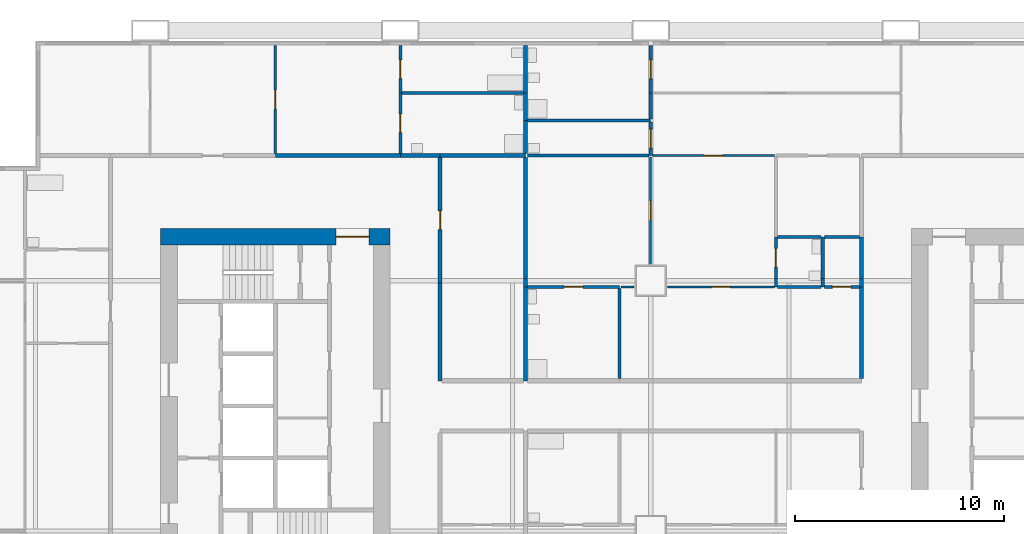
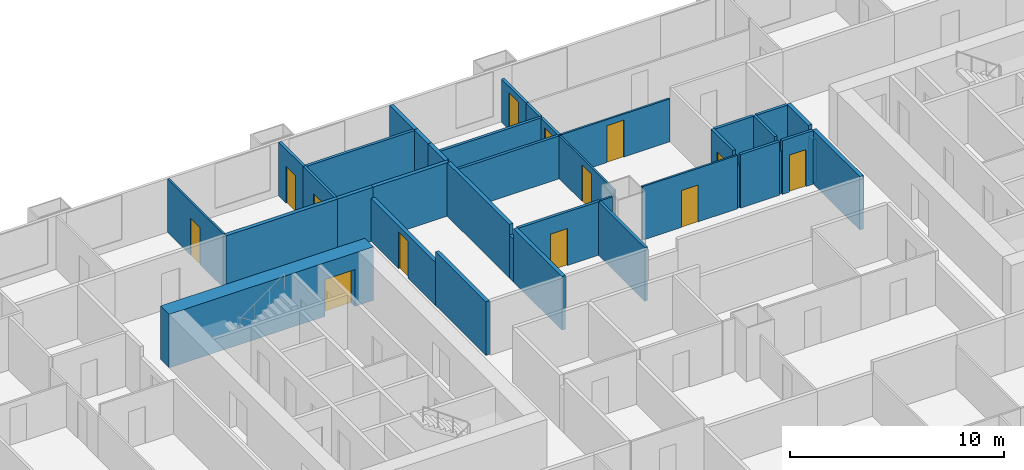
# One storey, part 8 of 13: 38 walls, 13 doors, 13 openings.
"""IFC4 building model written with IfcOpenShell, lengths in metres."""

from ifc_helpers import new_model, si_unit, direction, frame, frame_2d, origin, place, context, subcontext, project, spatial, rectangle, extrude, material, layer, layer_set, type_object, element, fill, save


model = new_model("IFC4")

# Units and contexts
model_context = context("Model", 3, precision=1e-05, world=origin(), true_north=direction((0.0, 1.0)))
body_context = subcontext(model_context, "Body", "Model", "MODEL_VIEW")
ifc_project = project(units=[si_unit("LENGTHUNIT", "METRE"), si_unit("AREAUNIT", "SQUARE_METRE"), si_unit("VOLUMEUNIT", "CUBIC_METRE"), si_unit("PLANEANGLEUNIT", "RADIAN"), si_unit("MASSUNIT", "GRAM", prefix="KILO")], contexts=[model_context])

# Site, building, storey
site_placement = place(None, origin())
site = spatial("IfcSite", under=ifc_project, at=site_placement, CompositionType="ELEMENT")
building_placement = place(site_placement, origin())
building = spatial("IfcBuilding", under=site, at=building_placement, Name="Kitamizu Gate Tower and Museum", CompositionType="ELEMENT")
storey_placement = place(building_placement, frame((0.0, 0.0, 40.35009765625)))
storey = spatial("IfcBuildingStorey", under=building, at=storey_placement, Name="L08", CompositionType="ELEMENT", Elevation=40.35009765625)

# Wall, opening, door
ifc_material_1 = material(Name="Concrete Fc60", Category="concrete")
ifc_layer_1 = layer(ifc_material_1, 0.800048828125)
ifc_layer_set_1 = layer_set([ifc_layer_1], Name="Concrete Fc60")
wall_type_1 = type_object("IfcWallType", Name="Core wall 800", PredefinedType="SHEAR", material=ifc_layer_set_1)
wall_1_placement = place(storey_placement, frame((12.5, 38.10009765625, 0.0), z_axis=(0.0, 0.0, 1.0), x_axis=(1.0, 0.0, 0.0)))
wall_1 = element("IfcWall", 1, at=wall_1_placement, inside=storey, type_object=wall_type_1, Name="Core wall WN", PredefinedType="SHEAR", context=body_context, shape_type="SweptSolid", body=[
    extrude(rectangle(XDim=11.0, YDim=0.800048828125, at=frame_2d((5.5, 0.0))), origin(), (0.0, 0.0, 1.0), 3.0498046875),
])
opening_1_placement = place(wall_1_placement, frame((8.39990234375, 0.0, 0.0)))
opening_1 = element("IfcOpeningElement", 2, at=opening_1_placement, cuts=wall_1, Name="Opening L08-086", PredefinedType="OPENING", context=body_context, shape_type="SweptSolid", body=[
    extrude(rectangle(XDim=1.60009765625, YDim=2.10009765625, at=frame_2d((0.800048828125, 1.050048828125))), frame((0.0, 0.41015625, 0.0), z_axis=(0.0, -1.0, 0.0), x_axis=(1.0, 0.0, 0.0)), (0.0, 0.0, 1.0), 0.820068359375),
])
ifc_material_2 = material(Name="Timber door set", Category="wood")
door_type_1 = type_object("IfcDoorType", Name="Entrance door 1600", OperationType="DOUBLE_DOOR_SINGLE_SWING", PredefinedType="DOOR", material=ifc_material_2)
door_1_placement = place(opening_1_placement, origin())
door_1 = element("IfcDoor", 3, at=door_1_placement, inside=storey, type_object=door_type_1, Name="Lobby door L08-086", OperationType="DOUBLE_DOOR_SINGLE_SWING", OverallHeight=2.10009765625, OverallWidth=1.60009765625, PredefinedType="DOOR", context=body_context, shape_type="SweptSolid", body=[
    extrude(rectangle(XDim=1.60009765625, YDim=2.10009765625, at=frame_2d((0.800048828125, 1.050048828125))), frame((0.0, 0.02490234375, 0.0), z_axis=(0.0, -1.0, 0.0), x_axis=(1.0, 0.0, 0.0)), (0.0, 0.0, 1.0), 0.050048828125),
])
fill(opening_1, door_1)

ifc_material_3 = material(Name="Gypsum board on galvanised stud")
ifc_layer_2 = layer(ifc_material_3, 0.10009765625)
ifc_layer_set_2 = layer_set([ifc_layer_2], Name="Gypsum board on galvanised stud")
wall_type_2 = type_object("IfcWallType", Name="Partition 100 NOT RATED", PredefinedType="PARTITIONING", material=ifc_layer_set_2)
wall_2_placement = place(storey_placement, frame((18.0, 42.10009765625, 0.0), z_axis=(0.0, 0.0, 1.0), x_axis=(0.0, 1.0, 0.0)))
wall_2 = element("IfcWall", 4, at=wall_2_placement, inside=storey, type_object=wall_type_2, Name="Partition L08-117", PredefinedType="PARTITIONING", context=body_context, shape_type="SweptSolid", body=[
    extrude(rectangle(XDim=5.179931640625, YDim=0.10009765625, at=frame_2d((2.58984375, 0.0))), origin(), (0.0, 0.0, 1.0), 3.0498046875),
])
opening_2_placement = place(wall_2_placement, frame((2.139892578125, 0.0, 0.0)))
opening_2 = element("IfcOpeningElement", 5, at=opening_2_placement, cuts=wall_2, Name="Opening L08-044", PredefinedType="OPENING", context=body_context, shape_type="SweptSolid", body=[
    extrude(rectangle(XDim=0.89990234375, YDim=2.10009765625, at=frame_2d((0.449951171875, 1.050048828125))), frame((0.0, 0.06005859375, 0.0), z_axis=(0.0, -1.0, 0.0), x_axis=(1.0, 0.0, 0.0)), (0.0, 0.0, 1.0), 0.1201171875),
])
ifc_material_4 = material(Name="Timber door set", Category="wood")
door_type_2 = type_object("IfcDoorType", Name="Room door 900", OperationType="NOTDEFINED", PredefinedType="DOOR", material=ifc_material_4)
door_2_placement = place(opening_2_placement, frame((0.89990234375, 0.0, 0.0), x_axis=(-1.0, 0.0, 0.0)))
door_2 = element("IfcDoor", 6, at=door_2_placement, inside=storey, type_object=door_type_2, Name="Door L08-044", OperationType="SINGLE_SWING_LEFT", OverallHeight=2.10009765625, OverallWidth=0.89990234375, PredefinedType="DOOR", context=body_context, shape_type="SweptSolid", body=[
    extrude(rectangle(XDim=0.89990234375, YDim=2.10009765625, at=frame_2d((0.449951171875, 1.050048828125))), frame((0.0, 0.02490234375, 0.0), z_axis=(0.0, -1.0, 0.0), x_axis=(1.0, 0.0, 0.0)), (0.0, 0.0, 1.0), 0.050048828125),
])
fill(opening_2, door_2)

wall_3_placement = place(storey_placement, frame((36.074951171875, 42.0, 0.0), z_axis=(0.0, 0.0, 1.0), x_axis=(1.0, 0.0, 0.0)))
wall_3 = element("IfcWall", 7, at=wall_3_placement, inside=storey, type_object=wall_type_2, Name="Partition L08-160", PredefinedType="PARTITIONING", context=body_context, shape_type="SweptSolid", body=[
    extrude(rectangle(XDim=5.85009765625, YDim=0.10009765625, at=frame_2d((2.925048828125, 0.0))), origin(), (0.0, 0.0, 1.0), 2.449951171875),
])
opening_3_placement = place(wall_3_placement, frame((2.47509765625, 0.0, 0.0)))
opening_3 = element("IfcOpeningElement", 8, at=opening_3_placement, cuts=wall_3, Name="Opening L08-060", PredefinedType="OPENING", context=body_context, shape_type="SweptSolid", body=[
    extrude(rectangle(XDim=0.89990234375, YDim=2.10009765625, at=frame_2d((0.449951171875, 1.050048828125))), frame((0.0, 0.06005859375, 0.0), z_axis=(0.0, -1.0, 0.0), x_axis=(1.0, 0.0, 0.0)), (0.0, 0.0, 1.0), 0.1201171875),
])
door_3_placement = place(opening_3_placement, origin())
door_3 = element("IfcDoor", 9, at=door_3_placement, inside=storey, type_object=door_type_2, Name="Door L08-060", OperationType="SINGLE_SWING_LEFT", OverallHeight=2.10009765625, OverallWidth=0.89990234375, PredefinedType="DOOR", context=body_context, shape_type="SweptSolid", body=[
    extrude(rectangle(XDim=0.89990234375, YDim=2.10009765625, at=frame_2d((0.449951171875, 1.050048828125))), frame((0.0, 0.02490234375, 0.0), z_axis=(0.0, -1.0, 0.0), x_axis=(1.0, 0.0, 0.0)), (0.0, 0.0, 1.0), 0.050048828125),
])
fill(opening_3, door_3)

wall_4_placement = place(storey_placement, frame((36.0, 36.800048828125, 0.0), z_axis=(0.0, 0.0, 1.0), x_axis=(0.0, 1.0, 0.0)))
wall_4 = element("IfcWall", 10, at=wall_4_placement, inside=storey, type_object=wall_type_2, Name="Partition L08-170", PredefinedType="PARTITIONING", context=body_context, shape_type="SweptSolid", body=[
    extrude(rectangle(XDim=5.125, YDim=0.10009765625, at=frame_2d((2.5625, 0.0))), origin(), (0.0, 0.0, 1.0), 2.449951171875),
])
opening_4_placement = place(wall_4_placement, frame((2.112548828125, 0.0, 0.0)))
opening_4 = element("IfcOpeningElement", 11, at=opening_4_placement, cuts=wall_4, Name="Opening L08-066", PredefinedType="OPENING", context=body_context, shape_type="SweptSolid", body=[
    extrude(rectangle(XDim=0.89990234375, YDim=2.10009765625, at=frame_2d((0.449951171875, 1.050048828125))), frame((0.0, 0.06005859375, 0.0), z_axis=(0.0, -1.0, 0.0), x_axis=(1.0, 0.0, 0.0)), (0.0, 0.0, 1.0), 0.1201171875),
])
door_4_placement = place(opening_4_placement, origin())
door_4 = element("IfcDoor", 12, at=door_4_placement, inside=storey, type_object=door_type_2, Name="Door L08-066", OperationType="SINGLE_SWING_LEFT", OverallHeight=2.10009765625, OverallWidth=0.89990234375, PredefinedType="DOOR", context=body_context, shape_type="SweptSolid", body=[
    extrude(rectangle(XDim=0.89990234375, YDim=2.10009765625, at=frame_2d((0.449951171875, 1.050048828125))), frame((0.0, 0.02490234375, 0.0), z_axis=(0.0, -1.0, 0.0), x_axis=(1.0, 0.0, 0.0)), (0.0, 0.0, 1.0), 0.050048828125),
])
fill(opening_4, door_4)

# Wall
wall_5_placement = place(storey_placement, frame((34.574951171875, 35.699951171875, 0.0), z_axis=(0.0, 0.0, 1.0), x_axis=(1.0, 0.0, 0.0)))
element("IfcWall", 13, at=wall_5_placement, inside=storey, type_object=wall_type_2, Name="Partition L08-172", PredefinedType="PARTITIONING", context=body_context, shape_type="SweptSolid", body=[
    extrude(rectangle(XDim=0.625, YDim=0.10009765625, at=frame_2d((0.3125, 0.0))), origin(), (0.0, 0.0, 1.0), 3.0498046875),
])

# Wall, opening, door
wall_6_placement = place(storey_placement, frame((36.800048828125, 35.699951171875, 0.0), z_axis=(0.0, 0.0, 1.0), x_axis=(1.0, 0.0, 0.0)))
wall_6 = element("IfcWall", 14, at=wall_6_placement, inside=storey, type_object=wall_type_2, Name="Partition L08-176", PredefinedType="PARTITIONING", context=body_context, shape_type="SweptSolid", body=[
    extrude(rectangle(XDim=5.125, YDim=0.10009765625, at=frame_2d((2.5625, 0.0))), origin(), (0.0, 0.0, 1.0), 3.0498046875),
])
opening_5_placement = place(wall_6_placement, frame((2.112548828125, 0.0, 0.0)))
opening_5 = element("IfcOpeningElement", 15, at=opening_5_placement, cuts=wall_6, Name="Opening L08-063", PredefinedType="OPENING", context=body_context, shape_type="SweptSolid", body=[
    extrude(rectangle(XDim=0.89990234375, YDim=2.10009765625, at=frame_2d((0.449951171875, 1.050048828125))), frame((0.0, 0.06005859375, 0.0), z_axis=(0.0, -1.0, 0.0), x_axis=(1.0, 0.0, 0.0)), (0.0, 0.0, 1.0), 0.1201171875),
])
door_5_placement = place(opening_5_placement, origin())
door_5 = element("IfcDoor", 16, at=door_5_placement, inside=storey, type_object=door_type_2, Name="Door L08-063", OperationType="SINGLE_SWING_LEFT", OverallHeight=2.10009765625, OverallWidth=0.89990234375, PredefinedType="DOOR", context=body_context, shape_type="SweptSolid", body=[
    extrude(rectangle(XDim=0.89990234375, YDim=2.10009765625, at=frame_2d((0.449951171875, 1.050048828125))), frame((0.0, 0.02490234375, 0.0), z_axis=(0.0, -1.0, 0.0), x_axis=(1.0, 0.0, 0.0)), (0.0, 0.0, 1.0), 0.050048828125),
])
fill(opening_5, door_5)

ifc_material_5 = material(Name="Gypsum board on galvanised stud")
ifc_layer_3 = layer(ifc_material_5, 0.14990234375)
ifc_layer_set_3 = layer_set([ifc_layer_3], Name="Gypsum board on galvanised stud")
wall_type_3 = type_object("IfcWallType", Name="Partition 150", PredefinedType="PARTITIONING", material=ifc_layer_set_3)
wall_7_placement = place(storey_placement, frame((24.0, 42.10009765625, 0.0), z_axis=(0.0, 0.0, 1.0), x_axis=(0.0, 1.0, 0.0)))
wall_7 = element("IfcWall", 17, at=wall_7_placement, inside=storey, type_object=wall_type_3, Name="Partition L08-119", PredefinedType="PARTITIONING", context=body_context, shape_type="SweptSolid", body=[
    extrude(rectangle(XDim=2.89990234375, YDim=0.14990234375, at=frame_2d((1.449951171875, 0.0))), origin(), (0.0, 0.0, 1.0), 3.0498046875),
])
opening_6_placement = place(wall_7_placement, frame((1.0, 0.0, 0.0)))
opening_6 = element("IfcOpeningElement", 18, at=opening_6_placement, cuts=wall_7, Name="Opening L08-045", PredefinedType="OPENING", context=body_context, shape_type="SweptSolid", body=[
    extrude(rectangle(XDim=0.89990234375, YDim=2.10009765625, at=frame_2d((0.449951171875, 1.050048828125))), frame((0.0, 0.0849609375, 0.0), z_axis=(0.0, -1.0, 0.0), x_axis=(1.0, 0.0, 0.0)), (0.0, 0.0, 1.0), 0.169921875),
])
ifc_material_6 = material(Name="Timber door set", Category="wood")
door_type_3 = type_object("IfcDoorType", Name="Bathroom door 900", OperationType="NOTDEFINED", PredefinedType="DOOR", material=ifc_material_6)
door_6_placement = place(opening_6_placement, frame((0.89990234375, 0.0, 0.0), x_axis=(-1.0, 0.0, 0.0)))
door_6 = element("IfcDoor", 19, at=door_6_placement, inside=storey, type_object=door_type_3, Name="Bathroom door L08-045", OperationType="SINGLE_SWING_RIGHT", OverallHeight=2.10009765625, OverallWidth=0.89990234375, PredefinedType="DOOR", context=body_context, shape_type="SweptSolid", body=[
    extrude(rectangle(XDim=0.89990234375, YDim=2.10009765625, at=frame_2d((0.449951171875, 1.050048828125))), frame((0.0, 0.02490234375, 0.0), z_axis=(0.0, -1.0, 0.0), x_axis=(1.0, 0.0, 0.0)), (0.0, 0.0, 1.0), 0.050048828125),
])
fill(opening_6, door_6)

wall_8_placement = place(storey_placement, frame((24.0, 45.0, 0.0), z_axis=(0.0, 0.0, 1.0), x_axis=(0.0, 1.0, 0.0)))
wall_8 = element("IfcWall", 20, at=wall_8_placement, inside=storey, type_object=wall_type_3, Name="Partition L08-120", PredefinedType="PARTITIONING", context=body_context, shape_type="SweptSolid", body=[
    extrude(rectangle(XDim=2.280029296875, YDim=0.14990234375, at=frame_2d((1.14013671875, 0.0))), origin(), (0.0, 0.0, 1.0), 3.0498046875),
])
opening_7_placement = place(wall_8_placement, frame((0.68994140625, 0.0, 0.0)))
opening_7 = element("IfcOpeningElement", 21, at=opening_7_placement, cuts=wall_8, Name="Opening L08-046", PredefinedType="OPENING", context=body_context, shape_type="SweptSolid", body=[
    extrude(rectangle(XDim=0.89990234375, YDim=2.10009765625, at=frame_2d((0.449951171875, 1.050048828125))), frame((0.0, 0.0849609375, 0.0), z_axis=(0.0, -1.0, 0.0), x_axis=(1.0, 0.0, 0.0)), (0.0, 0.0, 1.0), 0.169921875),
])
door_7_placement = place(opening_7_placement, frame((0.89990234375, 0.0, 0.0), x_axis=(-1.0, 0.0, 0.0)))
door_7 = element("IfcDoor", 22, at=door_7_placement, inside=storey, type_object=door_type_3, Name="Bathroom door L08-046", OperationType="SINGLE_SWING_LEFT", OverallHeight=2.10009765625, OverallWidth=0.89990234375, PredefinedType="DOOR", context=body_context, shape_type="SweptSolid", body=[
    extrude(rectangle(XDim=0.89990234375, YDim=2.10009765625, at=frame_2d((0.449951171875, 1.050048828125))), frame((0.0, 0.02490234375, 0.0), z_axis=(0.0, -1.0, 0.0), x_axis=(1.0, 0.0, 0.0)), (0.0, 0.0, 1.0), 0.050048828125),
])
fill(opening_7, door_7)

# Walls
wall_9_placement = place(storey_placement, frame((29.89990234375, 45.0, 0.0), z_axis=(0.0, 0.0, 1.0), x_axis=(-1.0, 0.0, 0.0)))
element("IfcWall", 23, at=wall_9_placement, inside=storey, type_object=wall_type_3, Name="Partition L08-122", PredefinedType="PARTITIONING", context=body_context, shape_type="SweptSolid", body=[
    extrude(rectangle(XDim=5.824951171875, YDim=0.14990234375, at=frame_2d((2.91259765625, 0.0))), origin(), (0.0, 0.0, 1.0), 3.0498046875),
])
wall_10_placement = place(storey_placement, frame((30.10009765625, 43.679931640625, 0.0), z_axis=(0.0, 0.0, 1.0), x_axis=(1.0, 0.0, 0.0)))
element("IfcWall", 24, at=wall_10_placement, inside=storey, type_object=wall_type_3, Name="Partition L08-153", PredefinedType="PARTITIONING", context=body_context, shape_type="SweptSolid", body=[
    extrude(rectangle(XDim=5.89990234375, YDim=0.14990234375, at=frame_2d((2.949951171875, 0.0))), origin(), (0.0, 0.0, 1.0), 2.449951171875),
])
wall_11_placement = place(storey_placement, frame((36.0, 43.7548828125, 0.0), z_axis=(0.0, 0.0, 1.0), x_axis=(0.0, 1.0, 0.0)))
element("IfcWall", 25, at=wall_11_placement, inside=storey, type_object=wall_type_3, Name="Partition L08-154", PredefinedType="PARTITIONING", context=body_context, shape_type="SweptSolid", body=[
    extrude(rectangle(XDim=1.2451171875, YDim=0.14990234375, at=frame_2d((0.62255859375, 0.0))), origin(), (0.0, 0.0, 1.0), 2.449951171875),
])

# Wall, opening, door
wall_12_placement = place(storey_placement, frame((36.0, 45.0, 0.0), z_axis=(0.0, 0.0, 1.0), x_axis=(0.0, 1.0, 0.0)))
wall_12 = element("IfcWall", 26, at=wall_12_placement, inside=storey, type_object=wall_type_3, Name="Partition L08-155", PredefinedType="PARTITIONING", context=body_context, shape_type="SweptSolid", body=[
    extrude(rectangle(XDim=2.280029296875, YDim=0.14990234375, at=frame_2d((1.14013671875, 0.0))), origin(), (0.0, 0.0, 1.0), 2.449951171875),
])
opening_8_placement = place(wall_12_placement, frame((0.68994140625, 0.0, 0.0)))
opening_8 = element("IfcOpeningElement", 27, at=opening_8_placement, cuts=wall_12, Name="Opening L08-064", PredefinedType="OPENING", context=body_context, shape_type="SweptSolid", body=[
    extrude(rectangle(XDim=0.89990234375, YDim=2.10009765625, at=frame_2d((0.449951171875, 1.050048828125))), frame((0.0, 0.0849609375, 0.0), z_axis=(0.0, -1.0, 0.0), x_axis=(1.0, 0.0, 0.0)), (0.0, 0.0, 1.0), 0.169921875),
])
door_8_placement = place(opening_8_placement, origin())
door_8 = element("IfcDoor", 28, at=door_8_placement, inside=storey, type_object=door_type_3, Name="Bathroom door L08-064", OperationType="SINGLE_SWING_LEFT", OverallHeight=2.10009765625, OverallWidth=0.89990234375, PredefinedType="DOOR", context=body_context, shape_type="SweptSolid", body=[
    extrude(rectangle(XDim=0.89990234375, YDim=2.10009765625, at=frame_2d((0.449951171875, 1.050048828125))), frame((0.0, 0.02490234375, 0.0), z_axis=(0.0, -1.0, 0.0), x_axis=(1.0, 0.0, 0.0)), (0.0, 0.0, 1.0), 0.050048828125),
])
fill(opening_8, door_8)

wall_13_placement = place(storey_placement, frame((36.0, 42.0, 0.0), z_axis=(0.0, 0.0, 1.0), x_axis=(0.0, 1.0, 0.0)))
wall_13 = element("IfcWall", 29, at=wall_13_placement, inside=storey, type_object=wall_type_3, Name="Partition L08-156", PredefinedType="PARTITIONING", context=body_context, shape_type="SweptSolid", body=[
    extrude(rectangle(XDim=1.60498046875, YDim=0.14990234375, at=frame_2d((0.802490234375, 0.0))), origin(), (0.0, 0.0, 1.0), 2.449951171875),
])
opening_9_placement = place(wall_13_placement, frame((0.3525390625, 0.0, 0.0)))
opening_9 = element("IfcOpeningElement", 30, at=opening_9_placement, cuts=wall_13, Name="Opening L08-065", PredefinedType="OPENING", context=body_context, shape_type="SweptSolid", body=[
    extrude(rectangle(XDim=0.89990234375, YDim=2.10009765625, at=frame_2d((0.449951171875, 1.050048828125))), frame((0.0, 0.0849609375, 0.0), z_axis=(0.0, -1.0, 0.0), x_axis=(1.0, 0.0, 0.0)), (0.0, 0.0, 1.0), 0.169921875),
])
door_9_placement = place(opening_9_placement, origin())
door_9 = element("IfcDoor", 31, at=door_9_placement, inside=storey, type_object=door_type_3, Name="Bathroom door L08-065", OperationType="SINGLE_SWING_RIGHT", OverallHeight=2.10009765625, OverallWidth=0.89990234375, PredefinedType="DOOR", context=body_context, shape_type="SweptSolid", body=[
    extrude(rectangle(XDim=0.89990234375, YDim=2.10009765625, at=frame_2d((0.449951171875, 1.050048828125))), frame((0.0, 0.02490234375, 0.0), z_axis=(0.0, -1.0, 0.0), x_axis=(1.0, 0.0, 0.0)), (0.0, 0.0, 1.0), 0.050048828125),
])
fill(opening_9, door_9)

# Wall
wall_14_placement = place(storey_placement, frame((30.10009765625, 42.0, 0.0), z_axis=(0.0, 0.0, 1.0), x_axis=(1.0, 0.0, 0.0)))
element("IfcWall", 32, at=wall_14_placement, inside=storey, type_object=wall_type_3, Name="Partition L08-157", PredefinedType="PARTITIONING", context=body_context, shape_type="SweptSolid", body=[
    extrude(rectangle(XDim=5.824951171875, YDim=0.14990234375, at=frame_2d((2.91259765625, 0.0))), origin(), (0.0, 0.0, 1.0), 2.449951171875),
])

# Wall, opening, door
wall_15_placement = place(storey_placement, frame((30.10009765625, 35.699951171875, 0.0), z_axis=(0.0, 0.0, 1.0), x_axis=(1.0, 0.0, 0.0)))
wall_15 = element("IfcWall", 33, at=wall_15_placement, inside=storey, type_object=wall_type_3, Name="Partition L08-171", PredefinedType="PARTITIONING", context=body_context, shape_type="SweptSolid", body=[
    extrude(rectangle(XDim=4.39990234375, YDim=0.14990234375, at=frame_2d((2.199951171875, 0.0))), origin(), (0.0, 0.0, 1.0), 3.0498046875),
])
opening_10_placement = place(wall_15_placement, frame((1.75, 0.0, 0.0)))
opening_10 = element("IfcOpeningElement", 34, at=opening_10_placement, cuts=wall_15, Name="Opening L08-068", PredefinedType="OPENING", context=body_context, shape_type="SweptSolid", body=[
    extrude(rectangle(XDim=0.89990234375, YDim=2.10009765625, at=frame_2d((0.449951171875, 1.050048828125))), frame((0.0, 0.0849609375, 0.0), z_axis=(0.0, -1.0, 0.0), x_axis=(1.0, 0.0, 0.0)), (0.0, 0.0, 1.0), 0.169921875),
])
door_10_placement = place(opening_10_placement, frame((0.89990234375, 0.0, 0.0), x_axis=(-1.0, 0.0, 0.0)))
door_10 = element("IfcDoor", 35, at=door_10_placement, inside=storey, type_object=door_type_3, Name="Bathroom door L08-068", OperationType="SINGLE_SWING_RIGHT", OverallHeight=2.10009765625, OverallWidth=0.89990234375, PredefinedType="DOOR", context=body_context, shape_type="SweptSolid", body=[
    extrude(rectangle(XDim=0.89990234375, YDim=2.10009765625, at=frame_2d((0.449951171875, 1.050048828125))), frame((0.0, 0.02490234375, 0.0), z_axis=(0.0, -1.0, 0.0), x_axis=(1.0, 0.0, 0.0)), (0.0, 0.0, 1.0), 0.050048828125),
])
fill(opening_10, door_10)

# Wall
wall_16_placement = place(storey_placement, frame((42.0, 35.699951171875, 0.0), z_axis=(0.0, 0.0, 1.0), x_axis=(0.0, 1.0, 0.0)))
element("IfcWall", 36, at=wall_16_placement, inside=storey, type_object=wall_type_3, Name="Partition L08-173", PredefinedType="PARTITIONING", context=body_context, shape_type="SweptSolid", body=[
    extrude(rectangle(XDim=0.400146484375, YDim=0.14990234375, at=frame_2d((0.2001953125, 0.0))), origin(), (0.0, 0.0, 1.0), 2.449951171875),
])

# Wall, opening, door
wall_17_placement = place(storey_placement, frame((42.0, 36.10009765625, 0.0), z_axis=(0.0, 0.0, 1.0), x_axis=(0.0, 1.0, 0.0)))
wall_17 = element("IfcWall", 37, at=wall_17_placement, inside=storey, type_object=wall_type_3, Name="Partition L08-174", PredefinedType="PARTITIONING", context=body_context, shape_type="SweptSolid", body=[
    extrude(rectangle(XDim=2.0, YDim=0.14990234375, at=frame_2d((1.0, 0.0))), origin(), (0.0, 0.0, 1.0), 3.0498046875),
])
opening_11_placement = place(wall_17_placement, frame((0.550048828125, 0.0, 0.0)))
opening_11 = element("IfcOpeningElement", 38, at=opening_11_placement, cuts=wall_17, Name="Opening L08-061", PredefinedType="OPENING", context=body_context, shape_type="SweptSolid", body=[
    extrude(rectangle(XDim=0.89990234375, YDim=2.10009765625, at=frame_2d((0.449951171875, 1.050048828125))), frame((0.0, 0.0849609375, 0.0), z_axis=(0.0, -1.0, 0.0), x_axis=(1.0, 0.0, 0.0)), (0.0, 0.0, 1.0), 0.169921875),
])
door_11_placement = place(opening_11_placement, frame((0.89990234375, 0.0, 0.0), x_axis=(-1.0, 0.0, 0.0)))
door_11 = element("IfcDoor", 39, at=door_11_placement, inside=storey, type_object=door_type_3, Name="Bathroom door L08-061", OperationType="SINGLE_SWING_RIGHT", OverallHeight=2.10009765625, OverallWidth=0.89990234375, PredefinedType="DOOR", context=body_context, shape_type="SweptSolid", body=[
    extrude(rectangle(XDim=0.89990234375, YDim=2.10009765625, at=frame_2d((0.449951171875, 1.050048828125))), frame((0.0, 0.02490234375, 0.0), z_axis=(0.0, -1.0, 0.0), x_axis=(1.0, 0.0, 0.0)), (0.0, 0.0, 1.0), 0.050048828125),
])
fill(opening_11, door_11)

# Walls
wall_18_placement = place(storey_placement, frame((44.25, 35.699951171875, 0.0), z_axis=(0.0, 0.0, 1.0), x_axis=(0.0, 1.0, 0.0)))
element("IfcWall", 40, at=wall_18_placement, inside=storey, type_object=wall_type_3, Name="Partition L08-177", PredefinedType="PARTITIONING", context=body_context, shape_type="SweptSolid", body=[
    extrude(rectangle(XDim=0.400146484375, YDim=0.14990234375, at=frame_2d((0.2001953125, 0.0))), origin(), (0.0, 0.0, 1.0), 2.449951171875),
])
wall_19_placement = place(storey_placement, frame((44.25, 36.10009765625, 0.0), z_axis=(0.0, 0.0, 1.0), x_axis=(0.0, 1.0, 0.0)))
element("IfcWall", 41, at=wall_19_placement, inside=storey, type_object=wall_type_3, Name="Partition L08-178", PredefinedType="PARTITIONING", context=body_context, shape_type="SweptSolid", body=[
    extrude(rectangle(XDim=2.0, YDim=0.14990234375, at=frame_2d((1.0, 0.0))), origin(), (0.0, 0.0, 1.0), 3.0498046875),
])
for number, where, z_axis, x_axis, name in (
    (42, (44.175048828125, 38.10009765625, 0.0), (0.0, 0.0, 1.0), (-1.0, 0.0, 0.0), "Partition L08-179"),
    (43, (42.074951171875, 35.699951171875, 0.0), (0.0, 0.0, 1.0), (1.0, 0.0, 0.0), "Partition L08-180"),
):
    element("IfcWall", number, at=place(storey_placement, frame(where, z_axis=z_axis, x_axis=x_axis)), inside=storey, type_object=wall_type_3, Name=name, PredefinedType="PARTITIONING", context=body_context, shape_type="SweptSolid", body=[
        extrude(rectangle(XDim=2.10009765625, YDim=0.14990234375, at=frame_2d((1.050048828125, 0.0))), origin(), (0.0, 0.0, 1.0), 3.0498046875),
    ])
wall_20_placement = place(storey_placement, frame((46.0, 38.10009765625, 0.0), z_axis=(0.0, 0.0, 1.0), x_axis=(-1.0, 0.0, 0.0)))
element("IfcWall", 44, at=wall_20_placement, inside=storey, type_object=wall_type_3, Name="Partition L08-181", PredefinedType="PARTITIONING", context=body_context, shape_type="SweptSolid", body=[
    extrude(rectangle(XDim=1.675048828125, YDim=0.14990234375, at=frame_2d((0.83740234375, 0.0))), origin(), (0.0, 0.0, 1.0), 3.0498046875),
])

# Wall, opening, door
wall_21_placement = place(storey_placement, frame((44.324951171875, 35.699951171875, 0.0), z_axis=(0.0, 0.0, 1.0), x_axis=(1.0, 0.0, 0.0)))
wall_21 = element("IfcWall", 45, at=wall_21_placement, inside=storey, type_object=wall_type_3, Name="Partition L08-182", PredefinedType="PARTITIONING", context=body_context, shape_type="SweptSolid", body=[
    extrude(rectangle(XDim=1.675048828125, YDim=0.14990234375, at=frame_2d((0.83740234375, 0.0))), origin(), (0.0, 0.0, 1.0), 3.0498046875),
])
opening_12_placement = place(wall_21_placement, frame((0.387451171875, 0.0, 0.0)))
opening_12 = element("IfcOpeningElement", 46, at=opening_12_placement, cuts=wall_21, Name="Opening L08-067", PredefinedType="OPENING", context=body_context, shape_type="SweptSolid", body=[
    extrude(rectangle(XDim=0.89990234375, YDim=2.10009765625, at=frame_2d((0.449951171875, 1.050048828125))), frame((0.0, 0.0849609375, 0.0), z_axis=(0.0, -1.0, 0.0), x_axis=(1.0, 0.0, 0.0)), (0.0, 0.0, 1.0), 0.169921875),
])
door_12_placement = place(opening_12_placement, origin())
door_12 = element("IfcDoor", 47, at=door_12_placement, inside=storey, type_object=door_type_3, Name="Bathroom door L08-067", OperationType="SINGLE_SWING_RIGHT", OverallHeight=2.10009765625, OverallWidth=0.89990234375, PredefinedType="DOOR", context=body_context, shape_type="SweptSolid", body=[
    extrude(rectangle(XDim=0.89990234375, YDim=2.10009765625, at=frame_2d((0.449951171875, 1.050048828125))), frame((0.0, 0.02490234375, 0.0), z_axis=(0.0, -1.0, 0.0), x_axis=(1.0, 0.0, 0.0)), (0.0, 0.0, 1.0), 0.050048828125),
])
fill(opening_12, door_12)

# Walls
wall_22_placement = place(storey_placement, frame((34.5, 31.300048828125, 0.0), z_axis=(0.0, 0.0, 1.0), x_axis=(0.0, 1.0, 0.0)))
element("IfcWall", 48, at=wall_22_placement, inside=storey, type_object=wall_type_3, Name="Partition L08-186", PredefinedType="PARTITIONING", context=body_context, shape_type="SweptSolid", body=[
    extrude(rectangle(XDim=4.324951171875, YDim=0.14990234375, at=frame_2d((2.16259765625, 0.0))), origin(), (0.0, 0.0, 1.0), 3.0498046875),
])
ifc_material_7 = material(Name="Gypsum board on galvanised stud")
ifc_layer_4 = layer(ifc_material_7, 0.199951171875)
ifc_layer_set_4 = layer_set([ifc_layer_4], Name="Gypsum board on galvanised stud")
wall_type_4 = type_object("IfcWallType", Name="Partition 200", PredefinedType="PARTITIONING", material=ifc_layer_set_4)
wall_23_placement = place(storey_placement, frame((18.0, 42.0, 0.0), z_axis=(0.0, 0.0, 1.0), x_axis=(1.0, 0.0, 0.0)))
element("IfcWall", 49, at=wall_23_placement, inside=storey, type_object=wall_type_4, Name="Partition L08-121", PredefinedType="PARTITIONING", context=body_context, shape_type="SweptSolid", body=[
    extrude(rectangle(XDim=6.0, YDim=0.199951171875, at=frame_2d((3.0, 0.0))), origin(), (0.0, 0.0, 1.0), 3.0498046875),
])
wall_24_placement = place(storey_placement, frame((25.89990234375, 42.0, 0.0), z_axis=(0.0, 0.0, 1.0), x_axis=(1.0, 0.0, 0.0)))
element("IfcWall", 50, at=wall_24_placement, inside=storey, type_object=wall_type_4, Name="Partition L08-123", PredefinedType="PARTITIONING", context=body_context, shape_type="SweptSolid", body=[
    extrude(rectangle(XDim=4.10009765625, YDim=0.199951171875, at=frame_2d((2.050048828125, 0.0))), origin(), (0.0, 0.0, 1.0), 3.0498046875),
])
wall_25_placement = place(storey_placement, frame((30.0, 43.679931640625, 0.0), z_axis=(0.0, 0.0, 1.0), x_axis=(0.0, 1.0, 0.0)))
element("IfcWall", 51, at=wall_25_placement, inside=storey, type_object=wall_type_4, Name="Partition L08-124", PredefinedType="PARTITIONING", context=body_context, shape_type="SweptSolid", body=[
    extrude(rectangle(XDim=1.320068359375, YDim=0.199951171875, at=frame_2d((0.66015625, 0.0))), origin(), (0.0, 0.0, 1.0), 3.0498046875),
])
wall_26_placement = place(storey_placement, frame((30.0, 42.10009765625, 0.0), z_axis=(0.0, 0.0, 1.0), x_axis=(0.0, 1.0, 0.0)))
element("IfcWall", 52, at=wall_26_placement, inside=storey, type_object=wall_type_4, Name="Partition L08-125", PredefinedType="PARTITIONING", context=body_context, shape_type="SweptSolid", body=[
    extrude(rectangle(XDim=1.579833984375, YDim=0.199951171875, at=frame_2d((0.7900390625, 0.0))), origin(), (0.0, 0.0, 1.0), 3.0498046875),
])
wall_27_placement = place(storey_placement, frame((24.0, 42.0, 0.0), z_axis=(0.0, 0.0, 1.0), x_axis=(1.0, 0.0, 0.0)))
element("IfcWall", 53, at=wall_27_placement, inside=storey, type_object=wall_type_4, Name="Partition L08-126", PredefinedType="PARTITIONING", context=body_context, shape_type="SweptSolid", body=[
    extrude(rectangle(XDim=1.89990234375, YDim=0.199951171875, at=frame_2d((0.949951171875, 0.0))), origin(), (0.0, 0.0, 1.0), 3.0498046875),
])
wall_28_placement = place(storey_placement, frame((30.0, 45.0, 0.0), z_axis=(0.0, 0.0, 1.0), x_axis=(0.0, 1.0, 0.0)))
element("IfcWall", 54, at=wall_28_placement, inside=storey, type_object=wall_type_4, Name="Partition L08-127", PredefinedType="PARTITIONING", context=body_context, shape_type="SweptSolid", body=[
    extrude(rectangle(XDim=2.280029296875, YDim=0.199951171875, at=frame_2d((1.14013671875, 0.0))), origin(), (0.0, 0.0, 1.0), 3.0498046875),
])
wall_29_placement = place(storey_placement, frame((30.0, 35.699951171875, 0.0), z_axis=(0.0, 0.0, 1.0), x_axis=(0.0, 1.0, 0.0)))
element("IfcWall", 55, at=wall_29_placement, inside=storey, type_object=wall_type_4, Name="Partition L08-128", PredefinedType="PARTITIONING", context=body_context, shape_type="SweptSolid", body=[
    extrude(rectangle(XDim=0.400146484375, YDim=0.199951171875, at=frame_2d((0.2001953125, 0.0))), origin(), (0.0, 0.0, 1.0), 2.449951171875),
])
wall_30_placement = place(storey_placement, frame((30.0, 36.10009765625, 0.0), z_axis=(0.0, 0.0, 1.0), x_axis=(0.0, 1.0, 0.0)))
element("IfcWall", 56, at=wall_30_placement, inside=storey, type_object=wall_type_4, Name="Partition L08-129", PredefinedType="PARTITIONING", context=body_context, shape_type="SweptSolid", body=[
    extrude(rectangle(XDim=5.7998046875, YDim=0.199951171875, at=frame_2d((2.89990234375, 0.0))), origin(), (0.0, 0.0, 1.0), 3.0498046875),
])
wall_31_placement = place(storey_placement, frame((30.0, 31.199951171875, 0.0), z_axis=(0.0, 0.0, 1.0), x_axis=(0.0, 1.0, 0.0)))
element("IfcWall", 57, at=wall_31_placement, inside=storey, type_object=wall_type_4, Name="Partition L08-130", PredefinedType="PARTITIONING", context=body_context, shape_type="SweptSolid", body=[
    extrude(rectangle(XDim=4.5, YDim=0.199951171875, at=frame_2d((2.25, 0.0))), origin(), (0.0, 0.0, 1.0), 3.0498046875),
])

# Wall, opening, door
wall_32_placement = place(storey_placement, frame((25.89990234375, 41.89990234375, 0.0), z_axis=(0.0, 0.0, 1.0), x_axis=(0.0, -1.0, 0.0)))
wall_32 = element("IfcWall", 58, at=wall_32_placement, inside=storey, type_object=wall_type_4, Name="Partition L08-131", PredefinedType="PARTITIONING", context=body_context, shape_type="SweptSolid", body=[
    extrude(rectangle(XDim=6.0, YDim=0.199951171875, at=frame_2d((3.0, 0.0))), origin(), (0.0, 0.0, 1.0), 2.449951171875),
])
opening_13_placement = place(wall_32_placement, frame((2.550048828125, 0.0, 0.0)))
opening_13 = element("IfcOpeningElement", 59, at=opening_13_placement, cuts=wall_32, Name="Opening L08-078", PredefinedType="OPENING", context=body_context, shape_type="SweptSolid", body=[
    extrude(rectangle(XDim=0.89990234375, YDim=2.10009765625, at=frame_2d((0.449951171875, 1.050048828125))), frame((0.0, 0.10986328125, 0.0), z_axis=(0.0, -1.0, 0.0), x_axis=(1.0, 0.0, 0.0)), (0.0, 0.0, 1.0), 0.219970703125),
])
door_13_placement = place(opening_13_placement, origin())
door_13 = element("IfcDoor", 60, at=door_13_placement, inside=storey, type_object=door_type_2, Name="Door L08-078", OperationType="SINGLE_SWING_LEFT", OverallHeight=2.10009765625, OverallWidth=0.89990234375, PredefinedType="DOOR", context=body_context, shape_type="SweptSolid", body=[
    extrude(rectangle(XDim=0.89990234375, YDim=2.10009765625, at=frame_2d((0.449951171875, 1.050048828125))), frame((0.0, 0.02490234375, 0.0), z_axis=(0.0, -1.0, 0.0), x_axis=(1.0, 0.0, 0.0)), (0.0, 0.0, 1.0), 0.050048828125),
])
fill(opening_13, door_13)

# Walls
wall_33_placement = place(storey_placement, frame((25.89990234375, 35.89990234375, 0.0), z_axis=(0.0, 0.0, 1.0), x_axis=(0.0, -1.0, 0.0)))
element("IfcWall", 61, at=wall_33_placement, inside=storey, type_object=wall_type_4, Name="Partition L08-132", PredefinedType="PARTITIONING", context=body_context, shape_type="SweptSolid", body=[
    extrude(rectangle(XDim=4.699951171875, YDim=0.199951171875, at=frame_2d((2.35009765625, 0.0))), origin(), (0.0, 0.0, 1.0), 3.0498046875),
])
wall_34_placement = place(storey_placement, frame((46.10009765625, 35.699951171875, 0.0), z_axis=(0.0, 0.0, 1.0), x_axis=(0.0, 1.0, 0.0)))
element("IfcWall", 62, at=wall_34_placement, inside=storey, type_object=wall_type_4, Name="Partition L08-183", PredefinedType="PARTITIONING", context=body_context, shape_type="SweptSolid", body=[
    extrude(rectangle(XDim=0.400146484375, YDim=0.199951171875, at=frame_2d((0.2001953125, 0.0))), origin(), (0.0, 0.0, 1.0), 2.449951171875),
])
wall_35_placement = place(storey_placement, frame((46.10009765625, 36.10009765625, 0.0), z_axis=(0.0, 0.0, 1.0), x_axis=(0.0, 1.0, 0.0)))
element("IfcWall", 63, at=wall_35_placement, inside=storey, type_object=wall_type_4, Name="Partition L08-184", PredefinedType="PARTITIONING", context=body_context, shape_type="SweptSolid", body=[
    extrude(rectangle(XDim=2.0, YDim=0.199951171875, at=frame_2d((1.0, 0.0))), origin(), (0.0, 0.0, 1.0), 3.0498046875),
])
wall_36_placement = place(storey_placement, frame((46.10009765625, 31.300048828125, 0.0), z_axis=(0.0, 0.0, 1.0), x_axis=(0.0, 1.0, 0.0)))
element("IfcWall", 64, at=wall_36_placement, inside=storey, type_object=wall_type_4, Name="Partition L08-190", PredefinedType="PARTITIONING", context=body_context, shape_type="SweptSolid", body=[
    extrude(rectangle(XDim=4.39990234375, YDim=0.199951171875, at=frame_2d((2.199951171875, 0.0))), origin(), (0.0, 0.0, 1.0), 3.0498046875),
])

save(model, "model.ifc")
